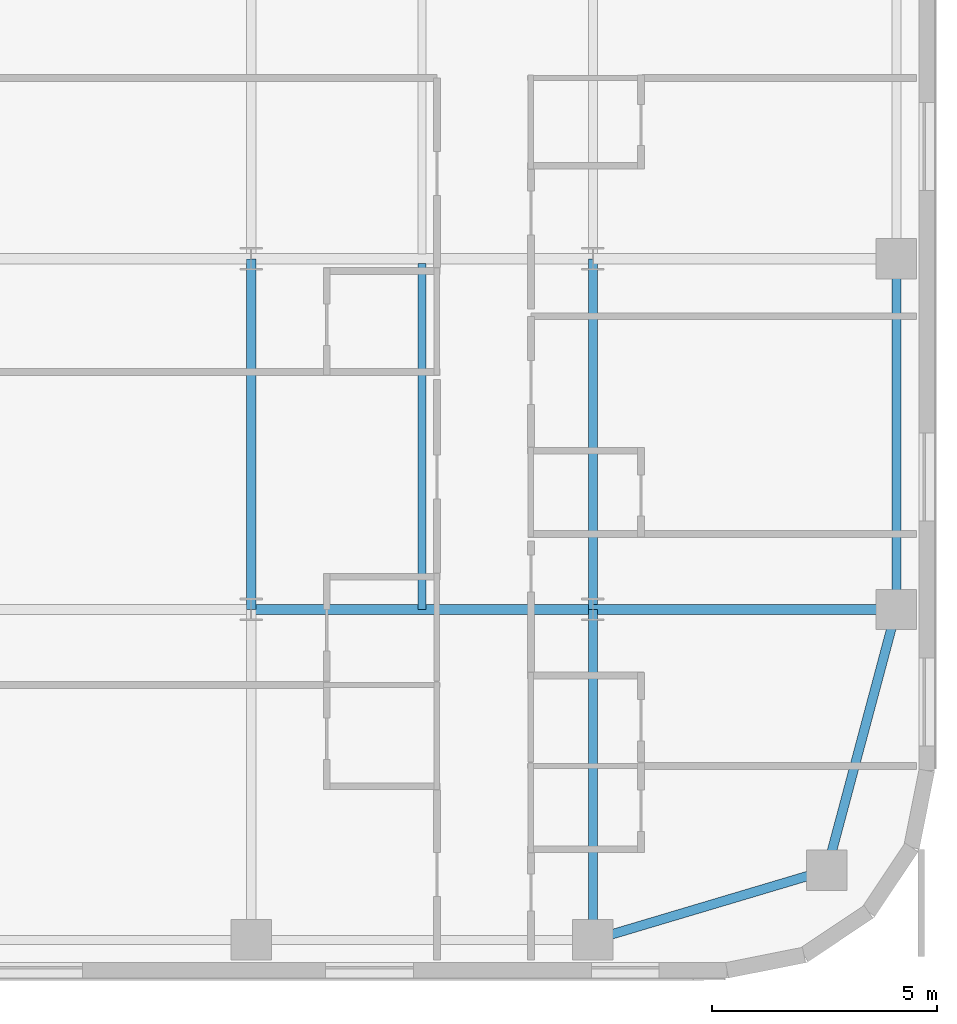
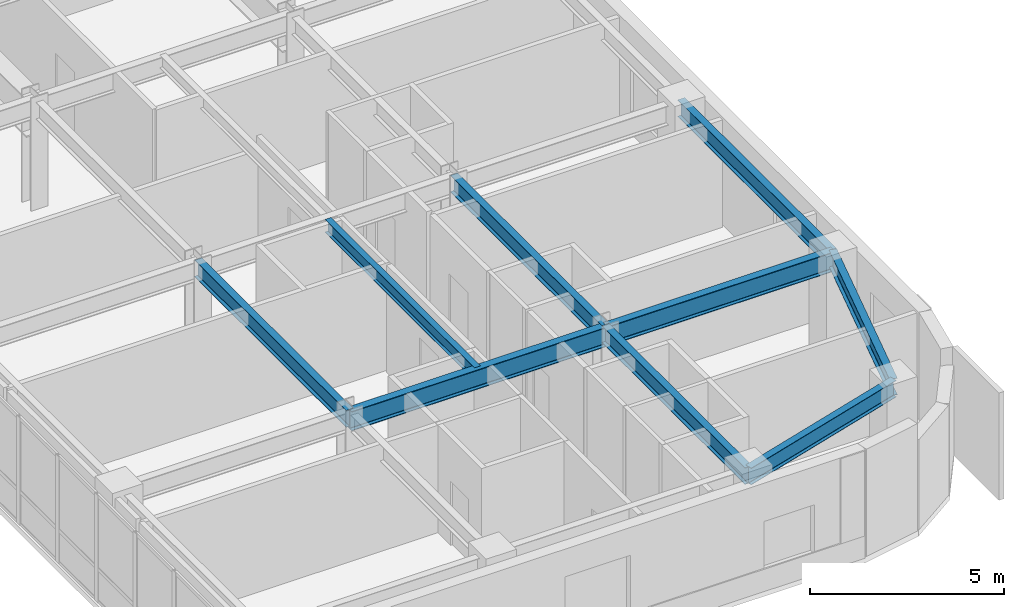
# One storey, part 10 of 25: 9 beams.
"""IFC4 building model written with IfcOpenShell, lengths in metres."""

from ifc_helpers import new_model, si_unit, direction, frame, origin, origin_2d, place, context, subcontext, project, spatial, i_section, extrude, source, transform, mapped, material, material_profile, profile_set, type_object, type_shapes, element, save


model = new_model("IFC4")

# Units and contexts
model_context = context("Model", 3, precision=1e-05, world=origin(), true_north=direction((0.0, 1.0)))
body_context = subcontext(model_context, "Body", "Model", "MODEL_VIEW")
ifc_project = project(units=[si_unit("LENGTHUNIT", "METRE"), si_unit("AREAUNIT", "SQUARE_METRE"), si_unit("VOLUMEUNIT", "CUBIC_METRE"), si_unit("PLANEANGLEUNIT", "RADIAN"), si_unit("MASSUNIT", "GRAM", prefix="KILO")], contexts=[model_context])

# Site, building, storey
site_placement = place(None, origin())
site = spatial("IfcSite", under=ifc_project, at=site_placement, CompositionType="ELEMENT")
building_placement = place(site_placement, origin())
building = spatial("IfcBuilding", under=site, at=building_placement, Name="Tolvann Quenvar Hotel", CompositionType="ELEMENT")
storey_placement = place(building_placement, frame((0.0, 0.0, 132.85009765625)))
storey = spatial("IfcBuildingStorey", under=building, at=storey_placement, Name="L34", CompositionType="ELEMENT", Elevation=132.85009765625)

# Beams
ifc_material = material(Name="Steel Grade 350", Category="steel")
ifc_material_profile_1 = material_profile(ifc_material, i_section(OverallWidth=0.208984375, OverallDepth=0.528076171875, WebThickness=0.009521484375, FlangeThickness=0.01318359375, FilletRadius=0.013916015625, at=origin_2d()), Name="530UB82")
ifc_profile_set_1 = profile_set([ifc_material_profile_1], Name="Steel Grade 350")
beam_type_1 = type_object("IfcBeamType", Name="BM_SPAND_530UB82", PredefinedType="SPANDREL", material=ifc_profile_set_1)
shared_shape_1 = source(origin(), body_context, "Body", "SweptSolid", [
    extrude(i_section(OverallWidth=0.208984375, OverallDepth=0.528076171875, WebThickness=0.009521484375, FlangeThickness=0.01318359375, FilletRadius=0.013916015625, at=origin_2d()), origin(), (0.0, 0.0, 1.0), 5.42626953125),
])
beam_1_placement = place(storey_placement, frame((49.39990234375, 0.85009765625, 3.10595703125), z_axis=(0.958344815522, 0.285613750654, 0.0), x_axis=(-0.285613750654, 0.958344815522, 0.0)))
element("IfcBeam", 1, at=beam_1_placement, inside=storey, type_object=beam_type_1, Name="BM-L34-EW-2-I2-J2", PredefinedType="SPANDREL", context=body_context, shape_type="MappedRepresentation", body=[
    mapped(shared_shape_1, transform((0.0, 0.0, 0.0), x_axis=(1.0, 0.0, 0.0), y_axis=(0.0, 1.0, 0.0), z_axis=(0.0, 0.0, 1.0), scale=1.0)),
])
ifc_material_profile_2 = material_profile(ifc_material, i_section(OverallWidth=0.22900390625, OverallDepth=0.612060546875, WebThickness=0.011962890625, FlangeThickness=0.01953125, FilletRadius=0.013916015625, at=origin_2d()), Name="610UB125")
ifc_profile_set_2 = profile_set([ifc_material_profile_2], Name="Steel Grade 350")
beam_type_2 = type_object("IfcBeamType", Name="BM_GIRD_610UB125", PredefinedType="BEAM", material=ifc_profile_set_2)
shared_shape_2 = source(origin(), body_context, "Body", "SweptSolid", [
    extrude(i_section(OverallWidth=0.22900390625, OverallDepth=0.612060546875, WebThickness=0.011962890625, FlangeThickness=0.01953125, FilletRadius=0.013916015625, at=origin_2d()), origin(), (0.0, 0.0, 1.0), 6.75),
])
beam_2_placement = place(storey_placement, frame((49.39990234375, 8.199951171875, 3.06396484375), z_axis=(1.0, 0.0, 0.0), x_axis=(0.0, 1.0, 0.0)))
element("IfcBeam", 2, at=beam_2_placement, inside=storey, type_object=beam_type_2, Name="BM-L34-EW-3-I3-J3", PredefinedType="BEAM", context=body_context, shape_type="MappedRepresentation", body=[
    mapped(shared_shape_2, transform((0.0, 0.0, 0.0), x_axis=(1.0, 0.0, 0.0), y_axis=(0.0, 1.0, 0.0), z_axis=(0.0, 0.0, 1.0), scale=1.0)),
])
shared_shape_3 = source(origin(), body_context, "Body", "SweptSolid", [
    extrude(i_section(OverallWidth=0.22900390625, OverallDepth=0.612060546875, WebThickness=0.011962890625, FlangeThickness=0.01953125, FilletRadius=0.013916015625, at=origin_2d()), origin(), (0.0, 0.0, 1.0), 7.599853515625),
])
type_shapes(beam_type_2, [shared_shape_2, shared_shape_3])
beam_3_placement = place(storey_placement, frame((41.800048828125, 8.199951171875, 3.06396484375), z_axis=(1.0, 0.0, 0.0), x_axis=(0.0, 1.0, 0.0)))
element("IfcBeam", 3, at=beam_3_placement, inside=storey, type_object=beam_type_2, Name="BM-L34-EW-3-H3-I3", PredefinedType="BEAM", context=body_context, shape_type="MappedRepresentation", body=[
    mapped(shared_shape_3, transform((0.0, 0.0, 0.0), x_axis=(1.0, 0.0, 0.0), y_axis=(0.0, 1.0, 0.0), z_axis=(0.0, 0.0, 1.0), scale=1.0)),
])
shared_shape_4 = source(origin(), body_context, "Body", "SweptSolid", [
    extrude(i_section(OverallWidth=0.208984375, OverallDepth=0.528076171875, WebThickness=0.009521484375, FlangeThickness=0.01318359375, FilletRadius=0.013916015625, at=origin_2d()), origin(), (0.0, 0.0, 1.0), 6.00341796875),
])
beam_4_placement = place(storey_placement, frame((54.60009765625, 2.39990234375, 3.10595703125), z_axis=(0.258148586649, 0.966105225745, 0.0), x_axis=(-0.966105225745, 0.258148586649, 0.0)))
element("IfcBeam", 4, at=beam_4_placement, inside=storey, type_object=beam_type_1, Name="BM-L34-NS-J2-J3", PredefinedType="SPANDREL", context=body_context, shape_type="MappedRepresentation", body=[
    mapped(shared_shape_4, transform((0.0, 0.0, 0.0), x_axis=(1.0, 0.0, 0.0), y_axis=(0.0, 1.0, 0.0), z_axis=(0.0, 0.0, 1.0), scale=1.0)),
])
shared_shape_5 = source(origin(), body_context, "Body", "SweptSolid", [
    extrude(i_section(OverallWidth=0.208984375, OverallDepth=0.528076171875, WebThickness=0.009521484375, FlangeThickness=0.01318359375, FilletRadius=0.013916015625, at=origin_2d()), origin(), (0.0, 0.0, 1.0), 7.800048828125),
])
type_shapes(beam_type_1, [shared_shape_1, shared_shape_4, shared_shape_5])
beam_5_placement = place(storey_placement, frame((56.14990234375, 8.199951171875, 3.10595703125), z_axis=(0.0, 1.0, 0.0), x_axis=(-1.0, 0.0, 0.0)))
element("IfcBeam", 5, at=beam_5_placement, inside=storey, type_object=beam_type_1, Name="BM-L34-NS-J3-J4", PredefinedType="SPANDREL", context=body_context, shape_type="MappedRepresentation", body=[
    mapped(shared_shape_5, transform((0.0, 0.0, 0.0), x_axis=(1.0, 0.0, 0.0), y_axis=(0.0, 1.0, 0.0), z_axis=(0.0, 0.0, 1.0), scale=1.0)),
])
ifc_material_profile_3 = material_profile(ifc_material, i_section(OverallWidth=0.208984375, OverallDepth=0.532958984375, WebThickness=0.01025390625, FlangeThickness=0.015625, FilletRadius=0.013916015625, at=origin_2d()), Name="530UB92")
ifc_profile_set_3 = profile_set([ifc_material_profile_3], Name="Steel Grade 350")
beam_type_3 = type_object("IfcBeamType", Name="BM_GIRD_530UB92", PredefinedType="BEAM", material=ifc_profile_set_3)
shared_shape_6 = source(origin(), body_context, "Body", "SweptSolid", [
    extrude(i_section(OverallWidth=0.208984375, OverallDepth=0.532958984375, WebThickness=0.01025390625, FlangeThickness=0.015625, FilletRadius=0.013916015625, at=origin_2d()), origin(), (0.0, 0.0, 1.0), 7.349853515625),
])
beam_6_placement = place(storey_placement, frame((49.39990234375, 0.85009765625, 3.103515625), z_axis=(0.0, 1.0, 0.0), x_axis=(-1.0, 0.0, 0.0)))
element("IfcBeam", 6, at=beam_6_placement, inside=storey, type_object=beam_type_3, Name="BM-L34-NS-I2-I3", PredefinedType="BEAM", context=body_context, shape_type="MappedRepresentation", body=[
    mapped(shared_shape_6, transform((0.0, 0.0, 0.0), x_axis=(1.0, 0.0, 0.0), y_axis=(0.0, 1.0, 0.0), z_axis=(0.0, 0.0, 1.0), scale=1.0)),
])
shared_shape_7 = source(origin(), body_context, "Body", "SweptSolid", [
    extrude(i_section(OverallWidth=0.208984375, OverallDepth=0.532958984375, WebThickness=0.01025390625, FlangeThickness=0.015625, FilletRadius=0.013916015625, at=origin_2d()), origin(), (0.0, 0.0, 1.0), 7.800048828125),
])
type_shapes(beam_type_3, [shared_shape_6, shared_shape_7])
for number, where, z_axis, x_axis, name in (
    (7, (41.800048828125, 8.199951171875, 3.103515625), (0.0, 1.0, 0.0), (-1.0, 0.0, 0.0), "BM-L34-NS-H3-H4"),
    (8, (49.39990234375, 8.199951171875, 3.103515625), (0.0, 1.0, 0.0), (-1.0, 0.0, 0.0), "BM-L34-NS-I3-I4"),
):
    element("IfcBeam", number, at=place(storey_placement, frame(where, z_axis=z_axis, x_axis=x_axis)), inside=storey, type_object=beam_type_3, Name=name, PredefinedType="BEAM", context=body_context, shape_type="MappedRepresentation", body=[
        mapped(shared_shape_7, transform((0.0, 0.0, 0.0), x_axis=(1.0, 0.0, 0.0), y_axis=(0.0, 1.0, 0.0), z_axis=(0.0, 0.0, 1.0), scale=1.0)),
    ])
ifc_material_profile_4 = material_profile(ifc_material, i_section(OverallWidth=0.177978515625, OverallDepth=0.406005859375, WebThickness=0.0078125, FlangeThickness=0.0126953125, FilletRadius=0.011474609375, at=origin_2d()), Name="410UB60")
ifc_profile_set_4 = profile_set([ifc_material_profile_4], Name="Steel Grade 350")
beam_type_4 = type_object("IfcBeamType", Name="BM_JOIST_410UB60", PredefinedType="JOIST", material=ifc_profile_set_4)
shared_shape_8 = source(origin(), body_context, "Body", "SweptSolid", [
    extrude(i_section(OverallWidth=0.177978515625, OverallDepth=0.406005859375, WebThickness=0.0078125, FlangeThickness=0.0126953125, FilletRadius=0.011474609375, at=origin_2d()), origin(), (0.0, 0.0, 1.0), 7.691650390625),
])
type_shapes(beam_type_4, [shared_shape_8])
beam_7_placement = place(storey_placement, frame((45.60009765625, 8.199951171875, 3.1669921875), z_axis=(0.0, 1.0, 0.0), x_axis=(-1.0, 0.0, 0.0)))
element("IfcBeam", 9, at=beam_7_placement, inside=storey, type_object=beam_type_4, Name="BJ-L34-456-82", PredefinedType="JOIST", context=body_context, shape_type="MappedRepresentation", body=[
    mapped(shared_shape_8, transform((0.0, 0.0, 0.0), x_axis=(1.0, 0.0, 0.0), y_axis=(0.0, 1.0, 0.0), z_axis=(0.0, 0.0, 1.0), scale=1.0)),
])

save(model, "model.ifc")
